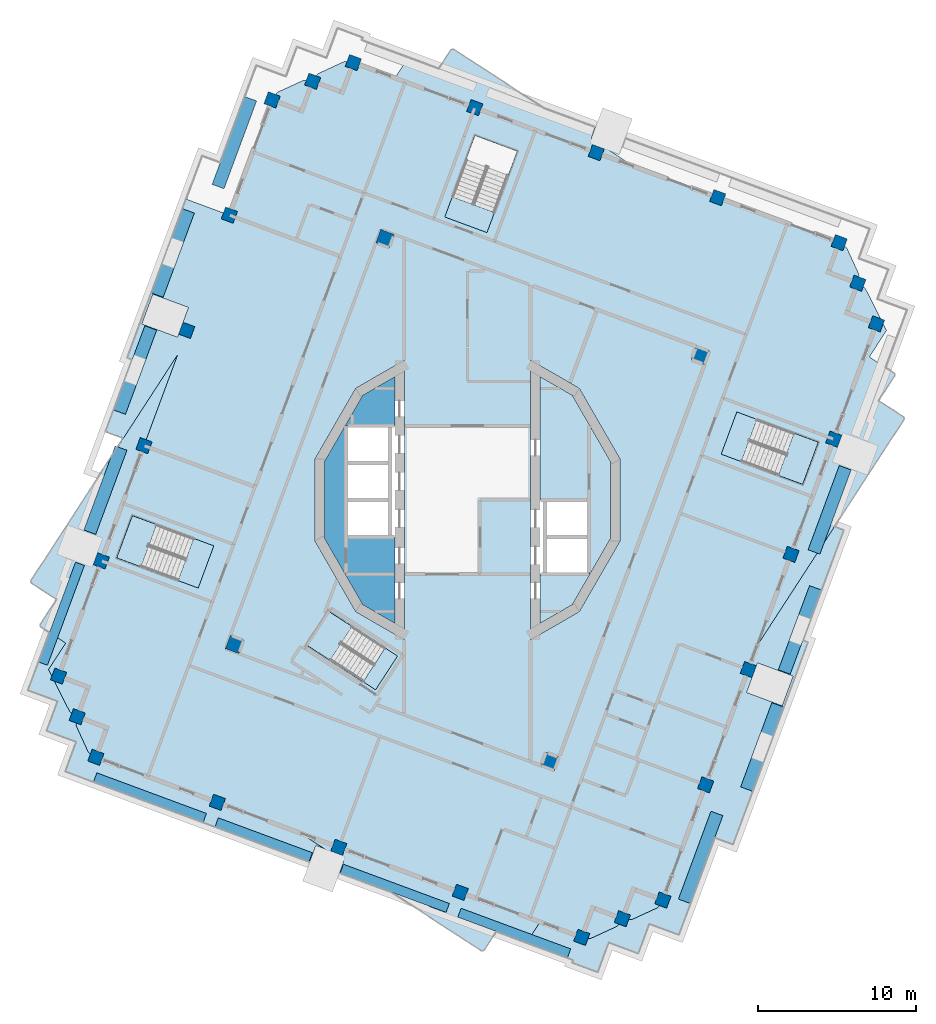
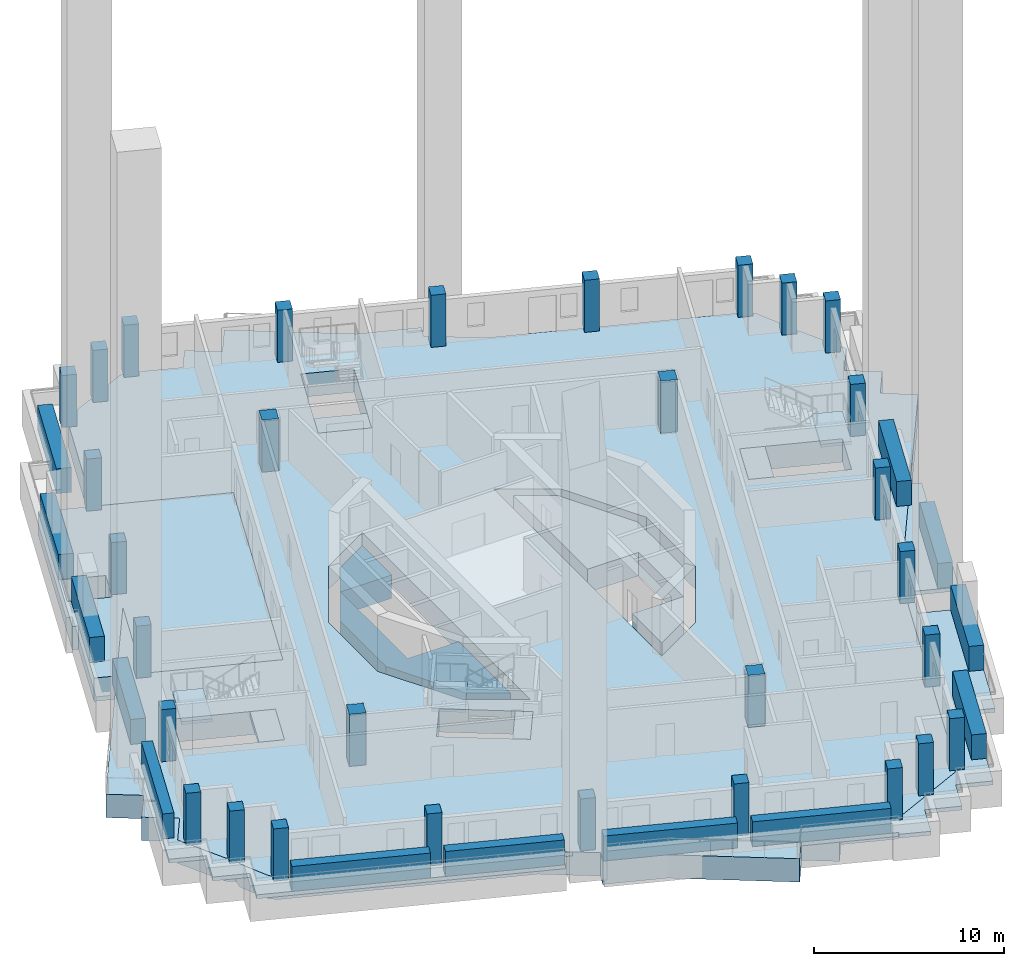
# One storey, part 1 of 20: 30 columns, 13 plates, 13 slabs, 3 elements without a shape of their own.
"""IFC4 building model written with IfcOpenShell, lengths in metres."""

import ifcopenshell
import ifcopenshell.guid

model = None  # the IFC model being written
_history = None  # IfcOwnerHistory: only IFC2X3 demands one
_inside = {}  # id of a spatial element -> (the spatial element, [elements in it])
_under = {}  # id of a project, library or spatial element -> (it, [spatial elements below it])
_declared = {}  # id of a project -> (the project, [libraries it declares])
_typed = {}  # id of a type object -> (the type object, [elements of that type])
_made_of = {}  # id of a material, layer set ... -> (it, [elements and type objects made of it])


def new_model(schema):
    """Start an empty IFC model of exactly this schema.

    Asked for "IFC4X3", IfcOpenShell would pick the latest addendum, in which some entities
    have other attributes; the version numbers below select the first issue.
    IFC2X3 requires an IfcOwnerHistory on every rooted entity: one is made here for all.
    """
    global model, _history
    if schema == "IFC4X3":
        model = ifcopenshell.file(schema_version=(4, 3, 0, 0))
    else:
        model = ifcopenshell.file(schema=schema)
    _inside.clear()
    _under.clear()
    _declared.clear()
    _typed.clear()
    _made_of.clear()
    _history = None
    if model.schema == "IFC2X3":
        org = make("IfcOrganization", Name="unknown")
        user = make(
            "IfcPersonAndOrganization",
            ThePerson=make("IfcPerson", FamilyName="unknown"),
            TheOrganization=org,
        )
        app = make(
            "IfcApplication",
            ApplicationDeveloper=org,
            Version="unknown",
            ApplicationFullName="unknown",
            ApplicationIdentifier="unknown",
        )
        _history = make(
            "IfcOwnerHistory",
            OwningUser=user,
            OwningApplication=app,
            ChangeAction="ADDED",
            CreationDate=0,
        )
    return model


def make(cls, **values):
    """One entity of the class cls with the attributes given. An attribute that is None is left unset."""
    return model.create_entity(
        cls, **{name: value for name, value in values.items() if value is not None}
    )


def rooted(cls, **values):
    """An entity with a GlobalId (a new one), such as an element, a storey or a relation."""
    return make(cls, GlobalId=ifcopenshell.guid.new(), OwnerHistory=_history, **values)


def si_unit(unit_type, name, prefix=None):
    """IfcSIUnit, for example si_unit("LENGTHUNIT", "METRE", prefix="MILLI")."""
    return make("IfcSIUnit", UnitType=unit_type, Prefix=prefix, Name=name)


def assignment(units):
    """IfcUnitAssignment: the units of a project."""
    return None if units is None else make("IfcUnitAssignment", Units=units)


def point(xyz):
    """IfcCartesianPoint."""
    return None if xyz is None else make("IfcCartesianPoint", Coordinates=xyz)


def direction(xyz):
    """IfcDirection."""
    return None if xyz is None else make("IfcDirection", DirectionRatios=xyz)


def frame(location, z_axis=None, x_axis=None):
    """IfcAxis2Placement3D, a coordinate frame: its origin and axes. An axis left out is left unset."""
    return make(
        "IfcAxis2Placement3D",
        Location=point(location),
        Axis=direction(z_axis),
        RefDirection=direction(x_axis),
    )


def frame_2d(location, x_axis=None):
    """IfcAxis2Placement2D, a coordinate frame in the plane: its origin and x axis."""
    return make(
        "IfcAxis2Placement2D", Location=point(location), RefDirection=direction(x_axis)
    )


def origin():
    """The frame at (0, 0, 0) with its axes left unset."""
    return frame((0.0, 0.0, 0.0))


def origin_2d():
    """The frame at (0, 0) in the plane with its x axis left unset."""
    return frame_2d((0.0, 0.0))


def place(relative_to, where):
    """IfcLocalPlacement: puts the frame where relative to a parent placement (None: the world)."""
    return make(
        "IfcLocalPlacement", PlacementRelTo=relative_to, RelativePlacement=where
    )


def context(
    kind, dimensions, precision=None, world=None, true_north=None, identifier=None
):
    """IfcGeometricRepresentationContext, for example the 3D "Model" context."""
    return make(
        "IfcGeometricRepresentationContext",
        ContextIdentifier=identifier,
        ContextType=kind,
        CoordinateSpaceDimension=dimensions,
        Precision=precision,
        WorldCoordinateSystem=world,
        TrueNorth=true_north,
    )


def subcontext(parent, identifier, kind, view, scale=None):
    """IfcGeometricRepresentationSubContext, for example "Body" below "Model"."""
    return make(
        "IfcGeometricRepresentationSubContext",
        ContextIdentifier=identifier,
        ContextType=kind,
        ParentContext=parent,
        TargetScale=scale,
        TargetView=view,
    )


def project(units=None, contexts=None):
    """IfcProject with its units and contexts."""
    return rooted(
        "IfcProject",
        Name="project",
        RepresentationContexts=contexts,
        UnitsInContext=assignment(units),
    )


def spatial(cls, under=None, at=None, **own):
    """A site, building, storey or space (cls), placed at a placement, below another one or the project."""
    s = rooted(cls, ObjectPlacement=at, **own)
    if under is not None:
        _under.setdefault(under.id(), (under, []))[1].append(s)
    return s


def polyline(points):
    """IfcPolyline through the points."""
    return make("IfcPolyline", Points=[point(p) for p in points])


def profile(cls, at=None, kind="AREA", **sizes):
    """A parametric profile (cls). Its sizes go by their IFC names, for example OverallWidth=200.0."""
    return make(cls, ProfileType=kind, Position=at, **sizes)


def rectangle(**sizes):
    """IfcRectangleProfileDef."""
    return profile("IfcRectangleProfileDef", **sizes)


def outline(outer, holes=None, kind="AREA"):
    """IfcArbitraryClosedProfileDef: a profile drawn as a closed curve; with holes, ...WithVoids."""
    if holes is None:
        return make("IfcArbitraryClosedProfileDef", ProfileType=kind, OuterCurve=outer)
    return make(
        "IfcArbitraryProfileDefWithVoids",
        ProfileType=kind,
        OuterCurve=outer,
        InnerCurves=holes,
    )


def extrude(swept, where, along, depth):
    """IfcExtrudedAreaSolid: the profile swept, set in the frame where, extruded along a direction by depth."""
    return make(
        "IfcExtrudedAreaSolid",
        SweptArea=swept,
        Position=where,
        ExtrudedDirection=direction(along),
        Depth=depth,
    )


def shape(context_of_items, identifier, shape_type, items):
    """IfcShapeRepresentation: the items that make up one representation, for example the "Body"."""
    return make(
        "IfcShapeRepresentation",
        ContextOfItems=context_of_items,
        RepresentationIdentifier=identifier,
        RepresentationType=shape_type,
        Items=items,
    )


def material(Name=None, Category=None):
    """IfcMaterial."""
    return make("IfcMaterial", Name=Name, Category=Category)


def layer(
    of_material, thickness, ventilated=None, Name=None, Category=None, Priority=None
):
    """IfcMaterialLayer: one layer of a wall or slab, of a material (None: an air gap)."""
    return make(
        "IfcMaterialLayer",
        Material=of_material,
        LayerThickness=thickness,
        IsVentilated=ventilated,
        Name=Name,
        Category=Category,
        Priority=Priority,
    )


def layer_set(layers, Name=None):
    """IfcMaterialLayerSet."""
    return make("IfcMaterialLayerSet", MaterialLayers=layers, LayerSetName=Name)


def material_profile(
    of_material, cross_section, Name=None, Category=None, Priority=None
):
    """IfcMaterialProfile: a cross section and its material."""
    return make(
        "IfcMaterialProfile",
        Name=Name,
        Material=of_material,
        Profile=cross_section,
        Priority=Priority,
        Category=Category,
    )


def profile_set(profiles, Name=None, composite=None):
    """IfcMaterialProfileSet."""
    return make(
        "IfcMaterialProfileSet",
        Name=Name,
        MaterialProfiles=profiles,
        CompositeProfile=composite,
    )


def made_of(thing, what):
    """Note that an element or type object is made of a material, layer set ...; save() writes the relation."""
    if what is not None:
        _made_of.setdefault(what.id(), (what, []))[1].append(thing)
    return thing


def type_object(cls, material=None, **own):
    """A type object (cls), such as IfcWallType, which elements share."""
    return made_of(rooted(cls, **own), material)


def element(
    cls,
    number,
    at=None,
    inside=None,
    cuts=None,
    type_object=None,
    material=None,
    context=None,
    identifier="Body",
    shape_type=None,
    held_by="IfcProductDefinitionShape",
    body=None,
    shapes=None,
    **own,
):
    """One element of the class cls, such as IfcWall. Its Tag is "e" and its number.

    at: its placement. inside: the storey or other place that contains it. cuts: it is an
    opening in that element (IfcRelVoidsElement). A single representation is given by context,
    identifier, shape_type and body (its items); several are given by shapes. held_by: the class
    of the entity that holds the representations. save() writes the other relations.
    """
    e = rooted(cls, Tag="e%d" % number, ObjectPlacement=at, **own)
    if body is not None:
        shapes = [shape(context, identifier, shape_type, body)]
    if shapes is not None:
        e.Representation = make(held_by, Representations=shapes)
    if inside is not None:
        _inside.setdefault(inside.id(), (inside, []))[1].append(e)
    if cuts is not None:
        rooted(
            "IfcRelVoidsElement", RelatingBuildingElement=cuts, RelatedOpeningElement=e
        )
    if type_object is not None:
        _typed.setdefault(type_object.id(), (type_object, []))[1].append(e)
    return made_of(e, material)


def aggregate(whole, parts):
    """IfcRelAggregates: a whole, such as a stair, and the parts it consists of."""
    return rooted("IfcRelAggregates", RelatingObject=whole, RelatedObjects=parts)


def save(model, path):
    """Write the relations noted so far, then the file.

    IfcRelAggregates (storeys below a building ...), IfcRelContainedInSpatialStructure (elements
    in a storey), IfcRelDefinesByType, IfcRelAssociatesMaterial and IfcRelDeclares: one each for
    every whole, place, type object, material and project.
    """
    for whole, parts in _under.values():
        aggregate(whole, parts)
    for where, things in _inside.values():
        rooted(
            "IfcRelContainedInSpatialStructure",
            RelatedElements=things,
            RelatingStructure=where,
        )
    for kind, things in _typed.values():
        rooted("IfcRelDefinesByType", RelatedObjects=things, RelatingType=kind)
    for what, things in _made_of.values():
        rooted("IfcRelAssociatesMaterial", RelatedObjects=things, RelatingMaterial=what)
    for by, libraries in _declared.values():
        rooted("IfcRelDeclares", RelatingContext=by, RelatedDefinitions=libraries)
    model.write(path)


model = new_model("IFC4")

# Units and contexts
model_context = context("Model", 3, precision=1e-05, world=origin(), true_north=direction((0.0, 1.0)))
body_context = subcontext(model_context, "Body", "Model", "MODEL_VIEW")
ifc_project = project(units=[si_unit("LENGTHUNIT", "METRE"), si_unit("AREAUNIT", "SQUARE_METRE"), si_unit("VOLUMEUNIT", "CUBIC_METRE"), si_unit("PLANEANGLEUNIT", "RADIAN"), si_unit("MASSUNIT", "GRAM", prefix="KILO")], contexts=[model_context])

# Site, building, storey
site_placement = place(None, origin())
site = spatial("IfcSite", under=ifc_project, at=site_placement, CompositionType="ELEMENT")
building_placement = place(site_placement, origin())
building = spatial("IfcBuilding", under=site, at=building_placement, Name="Cantera Rosa Tower", CompositionType="ELEMENT")
storey_placement = place(building_placement, frame((0.0, 0.0, 306.10009765625)))
storey = spatial("IfcBuildingStorey", under=building, at=storey_placement, Name="L67", CompositionType="ELEMENT", Elevation=306.10009765625)

# Columns
ifc_material_1 = material(Name="Concrete C50/60", Category="concrete")
ifc_material_profile_1 = material_profile(ifc_material_1, rectangle(XDim=0.800048828125, YDim=0.800048828125, at=origin_2d()), Name="RC COLUMN RC800X800 C50/60")
ifc_profile_set_1 = profile_set([ifc_material_profile_1], Name="Concrete C50/60")
column_type_1 = type_object("IfcColumnType", Name="RC COLUMN RC800X800 C50/60", PredefinedType="COLUMN", material=ifc_profile_set_1)
for number, where, z_axis, x_axis, name in (
    (1, (23.526611328125, 16.2900390625, 0.0), (0.0, 0.0, 1.0), (0.347481234489, 0.937686936924, 0.0), "C-Z6-01 L67"),
    (2, (15.83740234375, 19.139404296875, 0.0), (0.0, 0.0, 1.0), (0.347481234489, 0.937686936924, 0.0), "C-Z6-02 L67"),
    (3, (8.1484375, 21.98876953125, 0.0), (0.0, 0.0, 1.0), (0.347481234489, 0.937686936924, 0.0), "C-Z6-03 L67"),
    (4, (0.45947265625, 24.838134765625, 0.0), (0.0, 0.0, 1.0), (0.347481234489, 0.937686936924, 0.0), "C-Z6-04 L67"),
    (5, (-7.229736328125, 27.6875, 0.0), (0.0, 0.0, 1.0), (0.347481234489, 0.937686936924, 0.0), "C-Z6-05 L67"),
    (6, (-9.800048828125, 26.507080078125, 0.0), (0.0, 0.0, 1.0), (0.347481234489, 0.937686936924, 0.0), "C-Z6-06 L67"),
    (7, (-12.370361328125, 25.32666015625, 0.0), (0.0, 0.0, 1.0), (0.347481234489, 0.937686936924, 0.0), "C-Z6-07 L67"),
    (8, (-15.07373046875, 18.031494140625, 0.0), (0.0, 0.0, 1.0), (0.347481234489, 0.937686936924, 0.0), "C-Z6-08 L67"),
    (9, (-17.777099609375, 10.736328125, 0.0), (0.0, 0.0, 1.0), (0.347481234489, 0.937686936924, 0.0), "C-Z6-09 L67"),
    (10, (-20.48046875, 3.44091796875, 0.0), (0.0, 0.0, 1.0), (0.347481234489, 0.937686936924, 0.0), "C-Z6-10 L67"),
    (11, (-23.183837890625, -3.854248046875, 0.0), (0.0, 0.0, 1.0), (0.347481234489, 0.937686936924, 0.0), "C-Z6-11 L67"),
    (12, (-25.88720703125, -11.1494140625, 0.0), (0.0, 0.0, 1.0), (0.347481234489, 0.937686936924, 0.0), "C-Z6-12 L67"),
    (13, (-24.70703125, -13.7197265625, 0.0), (0.0, 0.0, 1.0), (0.347481234489, 0.937686936924, 0.0), "C-Z6-13 L67"),
    (14, (-23.526611328125, -16.2900390625, 0.0), (0.0, 0.0, 1.0), (0.347481234489, 0.937686936924, 0.0), "C-Z6-14 L67"),
    (15, (-15.83740234375, -19.139404296875, 0.0), (0.0, 0.0, 1.0), (0.347481234489, 0.937686936924, 0.0), "C-Z6-15 L67"),
    (16, (-8.1484375, -21.98876953125, 0.0), (0.0, 0.0, 1.0), (0.347481234489, 0.937686936924, 0.0), "C-Z6-16 L67"),
    (17, (-0.45947265625, -24.838134765625, 0.0), (0.0, 0.0, 1.0), (0.347481234489, 0.937686936924, 0.0), "C-Z6-17 L67"),
    (18, (7.229736328125, -27.6875, 0.0), (0.0, 0.0, 1.0), (0.347481234489, 0.937686936924, 0.0), "C-Z6-18 L67"),
    (19, (9.800048828125, -26.507080078125, 0.0), (0.0, 0.0, 1.0), (0.347481234489, 0.937686936924, 0.0), "C-Z6-19 L67"),
    (20, (12.370361328125, -25.32666015625, 0.0), (0.0, 0.0, 1.0), (0.347481234489, 0.937686936924, 0.0), "C-Z6-20 L67"),
    (21, (15.07373046875, -18.031494140625, 0.0), (0.0, 0.0, 1.0), (0.347481234489, 0.937686936924, 0.0), "C-Z6-21 L67"),
    (22, (17.777099609375, -10.736328125, 0.0), (0.0, 0.0, 1.0), (0.347481234489, 0.937686936924, 0.0), "C-Z6-22 L67"),
    (23, (20.48046875, -3.44091796875, 0.0), (0.0, 0.0, 1.0), (0.347481234489, 0.937686936924, 0.0), "C-Z6-23 L67"),
    (24, (23.183837890625, 3.854248046875, 0.0), (0.0, 0.0, 1.0), (0.347481234489, 0.937686936924, 0.0), "C-Z6-24 L67"),
    (25, (25.88720703125, 11.1494140625, 0.0), (0.0, 0.0, 1.0), (0.347481234489, 0.937686936924, 0.0), "C-Z6-25 L67"),
    (26, (24.70703125, 13.7197265625, 0.0), (0.0, 0.0, 1.0), (0.347481234489, 0.937686936924, 0.0), "C-Z6-26 L67"),
):
    element("IfcColumn", number, at=place(storey_placement, frame(where, z_axis=z_axis, x_axis=x_axis)), inside=storey, type_object=column_type_1, Name=name, PredefinedType="COLUMN", context=body_context, shape_type="SweptSolid", body=[
        extrude(rectangle(XDim=0.800048828125, YDim=0.800048828125, at=origin_2d()), origin(), (0.0, 0.0, 1.0), 3.349853515625),
    ])
ifc_material_2 = material(Name="Concrete C50/60", Category="concrete")
ifc_material_profile_2 = material_profile(ifc_material_2, rectangle(XDim=0.89990234375, YDim=0.89990234375, at=origin_2d()), Name="RC RING COLUMN RC900X900 C50/60")
ifc_profile_set_2 = profile_set([ifc_material_profile_2], Name="Concrete C50/60")
column_type_2 = type_object("IfcColumnType", Name="RC RING COLUMN RC900X900 C50/60", PredefinedType="COLUMN", material=ifc_profile_set_2)
for number, where, z_axis, x_axis, name in (
    (27, (-5.225830078125, 16.546875, 0.0), (0.0, 0.0, 1.0), (0.347481234489, 0.937686936924, 0.0), "CI-Z6-1 L67"),
    (28, (-14.746826171875, -9.145751953125, 0.0), (0.0, 0.0, 1.0), (0.347481234489, 0.937686936924, 0.0), "CI-Z6-2 L67"),
    (29, (5.225830078125, -16.546875, 0.0), (0.0, 0.0, 1.0), (0.347481234489, 0.937686936924, 0.0), "CI-Z6-3 L67"),
    (30, (14.746826171875, 9.145751953125, 0.0), (0.0, 0.0, 1.0), (0.347481234489, 0.937686936924, 0.0), "CI-Z6-4 L67"),
):
    element("IfcColumn", number, at=place(storey_placement, frame(where, z_axis=z_axis, x_axis=x_axis)), inside=storey, type_object=column_type_2, Name=name, PredefinedType="COLUMN", context=body_context, shape_type="SweptSolid", body=[
        extrude(rectangle(XDim=0.89990234375, YDim=0.89990234375, at=origin_2d()), origin(), (0.0, 0.0, 1.0), 3.349853515625),
    ])

# Slabs
ifc_material_3 = material(Name="Concrete C35/45", Category="concrete")
ifc_layer_1 = layer(ifc_material_3, 0.25)
ifc_layer_set_1 = layer_set([ifc_layer_1], Name="LOGGIA SLAB 250 C35/45")
slab_type_1 = type_object("IfcSlabType", Name="LOGGIA SLAB 250 C35/45", PredefinedType="FLOOR", material=ifc_layer_set_1)
slab_1_placement = place(storey_placement, frame((0.0, 0.0, -0.25)))
element("IfcSlab", 31, at=slab_1_placement, inside=storey, type_object=slab_type_1, Name="LOGGIA SLAB L67 1", PredefinedType="FLOOR", context=body_context, shape_type="SweptSolid", body=[
    extrude(outline(polyline([(-24.75927734375, -15.300048828125), (-25.22802734375, -15.126220703125), (-26.634765625, -14.60498046875), (-26.11328125, -13.198486328125), (-25.939697265625, -12.729736328125), (-26.408447265625, -12.555908203125), (-27.815185546875, -12.03466796875), (-27.2939453125, -10.628173828125), (-26.46435546875, -8.389892578125), (-25.436767578125, -9.057373046875), (-26.232177734375, -10.2822265625), (-26.52587890625, -10.734619140625), (-25.215576171875, -13.330810546875), (-25.201904296875, -13.35693359375), (-25.18603515625, -13.381591796875), (-25.16748046875, -13.404541015625), (-25.14697265625, -13.42578125), (-25.12451171875, -13.444580078125), (-25.10009765625, -13.461181640625), (-24.706787109375, -13.7197265625), (-24.76708984375, -14.186279296875), (-24.770263671875, -14.2158203125), (-24.7705078125, -14.2451171875), (-24.76806640625, -14.2744140625), (-24.7626953125, -14.303466796875), (-24.75439453125, -14.331787109375), (-24.743408203125, -14.35888671875), (-24.03515625, -15.901123046875), (-24.021484375, -15.92724609375), (-24.005615234375, -15.951904296875), (-23.987060546875, -15.974853515625), (-23.966552734375, -15.99609375), (-23.944091796875, -16.014892578125), (-23.919677734375, -16.031494140625), (-23.526611328125, -16.2900390625), (-10.589111328125, -21.08447265625), (-9.05908203125, -22.077880859375), (-9.60009765625, -21.87744140625), (-9.982421875, -22.90869140625), (-10.076171875, -22.8740234375), (-14.9521484375, -21.067138671875), (-17.76513671875, -20.024658203125), (-24.047607421875, -17.696533203125), (-25.454345703125, -17.17529296875), (-24.93310546875, -15.768798828125), (-24.75927734375, -15.300048828125)])), origin(), (0.0, 0.0, 1.0), 0.25),
])
slab_2_placement = place(storey_placement, frame((0.0, 0.0, -0.25)))
element("IfcSlab", 32, at=slab_2_placement, inside=storey, type_object=slab_type_1, Name="LOGGIA SLAB L67 3", PredefinedType="FLOOR", context=body_context, shape_type="SweptSolid", body=[
    extrude(outline(polyline([(11.779541015625, -26.920654296875), (11.498291015625, -26.81640625), (11.39404296875, -27.097900390625), (10.80322265625, -28.69189453125), (9.209228515625, -28.10107421875), (8.927978515625, -27.996826171875), (8.23291015625, -29.872314453125), (6.638916015625, -29.281494140625), (6.69921875, -29.119140625), (1.819091796875, -27.310791015625), (2.07177734375, -26.921630859375), (3.7490234375, -28.0107421875), (4.593505859375, -26.710693359375), (6.25048828125, -27.32470703125), (7.2294921875, -27.6875), (7.6962890625, -27.74755859375), (7.7255859375, -27.750732421875), (7.7548828125, -27.751220703125), (7.784423828125, -27.74853515625), (7.813232421875, -27.7431640625), (7.841552734375, -27.735107421875), (7.868896484375, -27.72412109375), (9.4111328125, -27.015625), (9.437255859375, -27.002197265625), (9.4619140625, -26.986083984375), (9.48486328125, -26.9677734375), (9.505859375, -26.947021484375), (9.52490234375, -26.924560546875), (9.54150390625, -26.900146484375), (9.800048828125, -26.507080078125), (10.2666015625, -26.567138671875), (10.2958984375, -26.5703125), (10.325439453125, -26.57080078125), (10.354736328125, -26.568115234375), (10.383544921875, -26.562744140625), (10.411865234375, -26.554443359375), (10.439208984375, -26.543701171875), (11.9814453125, -25.835205078125), (12.007568359375, -25.82177734375), (12.0322265625, -25.8056640625), (12.05517578125, -25.787353515625), (12.076171875, -25.7666015625), (12.09521484375, -25.744140625), (12.11181640625, -25.7197265625), (12.370361328125, -25.32666015625), (12.733154296875, -24.347412109375), (17.63818359375, -11.111328125), (18.01318359375, -11.250244140625), (17.665771484375, -12.18798828125), (19.916259765625, -13.02197265625), (20.611083984375, -11.146484375), (18.360595703125, -10.3125), (18.291259765625, -10.5), (17.916015625, -10.361083984375), (18.342041015625, -9.211669921875), (23.221923828125, -1.697509765625), (23.805908203125, -1.913818359375), (21.2197265625, -8.892822265625), (21.535888671875, -9.010009765625), (16.7998046875, -21.790283203125), (15.651611328125, -21.36474609375), (13.96435546875, -25.917236328125), (13.373779296875, -27.511474609375), (11.779541015625, -26.920654296875)])), origin(), (0.0, 0.0, 1.0), 0.25),
])

# Plates
ifc_material_4 = material(Name="Cantera stone planter with soil", Category="masonry")
plate_type_1 = type_object("IfcPlateType", Name="PLANTER 600", PredefinedType="USERDEFINED", material=ifc_material_4)
plate_1_placement = place(storey_placement, frame((-25.704345703125, -7.201904296875, -0.000244140625), z_axis=(0.0, 0.0, 1.0), x_axis=(-0.347481234489, -0.937686936924, 0.0)))
element("IfcPlate", 33, at=plate_1_placement, inside=storey, type_object=plate_type_1, Name="PLANTER L67-09", ObjectType="PLANTER", PredefinedType="USERDEFINED", context=body_context, shape_type="SweptSolid", body=[
    extrude(rectangle(XDim=6.72998046875, YDim=0.60009765625, at=origin_2d()), origin(), (0.0, 0.0, 1.0), 1.60009765625),
])
plate_2_placement = place(storey_placement, frame((-20.098876953125, -18.83984375, -0.000244140625), z_axis=(0.0, 0.0, 1.0), x_axis=(0.937686936924, -0.347481234489, 0.0)))
element("IfcPlate", 34, at=plate_2_placement, inside=storey, type_object=plate_type_1, Name="PLANTER L67-10", ObjectType="PLANTER", PredefinedType="USERDEFINED", context=body_context, shape_type="SweptSolid", body=[
    extrude(rectangle(XDim=7.39990234375, YDim=0.60009765625, at=origin_2d()), origin(), (0.0, 0.0, 1.0), 1.60009765625),
])
plate_3_placement = place(storey_placement, frame((-12.902099609375, -21.5068359375, -0.000244140625), z_axis=(0.0, 0.0, 1.0), x_axis=(0.937686936924, -0.347481234489, 0.0)))
element("IfcPlate", 35, at=plate_3_placement, inside=storey, type_object=plate_type_1, Name="PLANTER L67-11", ObjectType="PLANTER", PredefinedType="USERDEFINED", context=body_context, shape_type="SweptSolid", body=[
    extrude(rectangle(XDim=6.35009765625, YDim=0.60009765625, at=origin_2d()), origin(), (0.0, 0.0, 1.0), 1.60009765625),
])
plate_4_placement = place(storey_placement, frame((-4.603759765625, -24.58203125, -0.000244140625), z_axis=(0.0, 0.0, 1.0), x_axis=(0.937686936924, -0.347481234489, 0.0)))
element("IfcPlate", 36, at=plate_4_placement, inside=storey, type_object=plate_type_1, Name="PLANTER L67-12", ObjectType="PLANTER", PredefinedType="USERDEFINED", context=body_context, shape_type="SweptSolid", body=[
    extrude(rectangle(XDim=7.14990234375, YDim=0.60009765625, at=origin_2d()), origin(), (0.0, 0.0, 1.0), 1.60009765625),
])
plate_5_placement = place(storey_placement, frame((2.958740234375, -27.4130859375, -0.000244140625), z_axis=(0.0, 0.0, 1.0), x_axis=(0.937686936924, -0.347481234489, 0.0)))
element("IfcPlate", 37, at=plate_5_placement, inside=storey, type_object=plate_type_1, Name="PLANTER L67-13", ObjectType="PLANTER", PredefinedType="USERDEFINED", context=body_context, shape_type="SweptSolid", body=[
    extrude(rectangle(XDim=7.39990234375, YDim=0.60009765625, at=origin_2d()), origin(), (0.0, 0.0, 1.0), 1.60009765625),
])
ifc_material_5 = material(Name="Cantera stone planter with soil", Category="masonry")
plate_type_2 = type_object("IfcPlateType", Name="PLANTER 800", PredefinedType="USERDEFINED", material=ifc_material_5)
plate_6_placement = place(storey_placement, frame((-14.758544921875, 22.623046875, -0.000244140625), z_axis=(0.0, 0.0, 1.0), x_axis=(-0.347481234489, -0.937686936924, 0.0)))
element("IfcPlate", 38, at=plate_6_placement, inside=storey, type_object=plate_type_2, Name="PLANTER L67-05", ObjectType="PLANTER", PredefinedType="USERDEFINED", context=body_context, shape_type="SweptSolid", body=[
    extrude(rectangle(XDim=5.929931640625, YDim=0.800048828125, at=origin_2d()), origin(), (0.0, 0.0, 1.0), 1.60009765625),
])
for number, where, z_axis, x_axis, name in (
    (39, (-18.65380859375, 15.63623046875, -0.000244140625), (0.0, 0.0, 1.0), (-0.347481234489, -0.937686936924, 0.0), "PLANTER L67-06"),
    (40, (-21.041015625, 8.223876953125, -0.000244140625), (0.0, 0.0, 1.0), (-0.347481234489, -0.937686936924, 0.0), "PLANTER L67-07"),
    (41, (-22.922607421875, 0.6240234375, -0.000244140625), (0.0, 0.0, 1.0), (-0.347481234489, -0.937686936924, 0.0), "PLANTER L67-08"),
):
    element("IfcPlate", number, at=place(storey_placement, frame(where, z_axis=z_axis, x_axis=x_axis)), inside=storey, type_object=plate_type_2, Name=name, ObjectType="PLANTER", PredefinedType="USERDEFINED", context=body_context, shape_type="SweptSolid", body=[
        extrude(rectangle(XDim=5.679931640625, YDim=0.800048828125, at=origin_2d()), origin(), (0.0, 0.0, 1.0), 1.60009765625),
    ])
plate_7_placement = place(storey_placement, frame((14.758544921875, -22.623046875, -0.000244140625), z_axis=(0.0, 0.0, 1.0), x_axis=(0.347481234489, 0.937686936924, 0.0)))
element("IfcPlate", 42, at=plate_7_placement, inside=storey, type_object=plate_type_2, Name="PLANTER L67-14", ObjectType="PLANTER", PredefinedType="USERDEFINED", context=body_context, shape_type="SweptSolid", body=[
    extrude(rectangle(XDim=5.929931640625, YDim=0.800048828125, at=origin_2d()), origin(), (0.0, 0.0, 1.0), 1.60009765625),
])
for number, where, z_axis, x_axis, name in (
    (43, (18.65380859375, -15.63623046875, -0.000244140625), (0.0, 0.0, 1.0), (0.347481234489, 0.937686936924, 0.0), "PLANTER L67-15"),
    (44, (21.041015625, -8.223876953125, -0.000244140625), (0.0, 0.0, 1.0), (0.347481234489, 0.937686936924, 0.0), "PLANTER L67-16"),
    (45, (22.922607421875, -0.6240234375, -0.000244140625), (0.0, 0.0, 1.0), (0.347481234489, 0.937686936924, 0.0), "PLANTER L67-17"),
):
    element("IfcPlate", number, at=place(storey_placement, frame(where, z_axis=z_axis, x_axis=x_axis)), inside=storey, type_object=plate_type_2, Name=name, ObjectType="PLANTER", PredefinedType="USERDEFINED", context=body_context, shape_type="SweptSolid", body=[
        extrude(rectangle(XDim=5.679931640625, YDim=0.800048828125, at=origin_2d()), origin(), (0.0, 0.0, 1.0), 1.60009765625),
    ])

# Slabs
ifc_material_6 = material(Name="Concrete C50/60", Category="concrete")
ifc_layer_2 = layer(ifc_material_6, 0.300048828125)
ifc_layer_set_2 = layer_set([ifc_layer_2], Name="RC STAIR ARRIVAL LANDING 300 C50/60")
slab_type_2 = type_object("IfcSlabType", Name="RC STAIR ARRIVAL LANDING 300 C50/60", PredefinedType="FLOOR", material=ifc_layer_set_2)
slab_3_placement = place(storey_placement, frame((0.0, 0.0, -0.300048828125)))
element("IfcSlab", 46, at=slab_3_placement, inside=storey, type_object=slab_type_2, Name="SLAB L67 arrival 1", PredefinedType="FLOOR", context=body_context, shape_type="SweptSolid", body=[
    extrude(outline(polyline([(-17.048828125, -5.572998046875), (-18.325927734375, -5.099853515625), (-17.335693359375, -2.427490234375), (-16.05859375, -2.900634765625), (-17.048828125, -5.572998046875)])), origin(), (0.0, 0.0, 1.0), 0.300048828125),
])
slab_4_placement = place(storey_placement, frame((0.0, 0.0, -0.300048828125)))
element("IfcSlab", 47, at=slab_4_placement, inside=storey, type_object=slab_type_2, Name="SLAB L67 arrival 2", PredefinedType="FLOOR", context=body_context, shape_type="SweptSolid", body=[
    extrude(outline(polyline([(-4.429931640625, -9.878662109375), (-5.818603515625, -12.017333984375), (-6.6044921875, -11.507080078125), (-5.2158203125, -9.368408203125), (-4.429931640625, -9.878662109375)])), origin(), (0.0, 0.0, 1.0), 0.300048828125),
])
slab_5_placement = place(storey_placement, frame((0.0, 0.0, -0.300048828125)))
element("IfcSlab", 48, at=slab_5_placement, inside=storey, type_object=slab_type_2, Name="SLAB L67 arrival 3", PredefinedType="FLOOR", context=body_context, shape_type="SweptSolid", body=[
    extrude(outline(polyline([(-1.43896484375, 17.91650390625), (-0.9658203125, 19.193603515625), (1.70654296875, 18.203369140625), (1.2333984375, 16.926025390625), (-1.43896484375, 17.91650390625)])), origin(), (0.0, 0.0, 1.0), 0.300048828125),
])
slab_6_placement = place(storey_placement, frame((0.0, 0.0, -0.300048828125)))
element("IfcSlab", 49, at=slab_6_placement, inside=storey, type_object=slab_type_2, Name="SLAB L67 arrival 4", PredefinedType="FLOOR", context=body_context, shape_type="SweptSolid", body=[
    extrude(outline(polyline([(17.048828125, 5.572998046875), (18.325927734375, 5.099853515625), (17.335693359375, 2.427490234375), (16.05859375, 2.900634765625), (17.048828125, 5.572998046875)])), origin(), (0.0, 0.0, 1.0), 0.300048828125),
])
ifc_material_7 = material(Name="Concrete C50/60", Category="concrete")
ifc_layer_3 = layer(ifc_material_7, 1.5)
ifc_layer_set_3 = layer_set([ifc_layer_3], Name="RC TRANSFER PLATE 1500 C50/60")
slab_type_3 = type_object("IfcSlabType", Name="RC TRANSFER PLATE 1500 C50/60", PredefinedType="FLOOR", material=ifc_layer_set_3)
slab_7_placement = place(storey_placement, frame((0.0, 0.0, -1.5)))
element("IfcSlab", 50, at=slab_7_placement, inside=storey, type_object=slab_type_3, Name="SLAB L67 floor 1", PredefinedType="FLOOR", context=body_context, shape_type="SweptSolid", body=[
    extrude(outline(polyline([(-7.699951171875, -2.35009765625), (-4.60009765625, -2.35009765625), (-4.60009765625, -7.804931640625), (-6.6318359375, -6.6318359375), (-9.059326171875, -2.427490234375), (-9.059326171875, 2.427490234375), (-6.6318359375, 6.6318359375), (-4.60009765625, 7.804931640625), (-4.60009765625, 4.699951171875), (-7.699951171875, 4.699951171875), (-7.699951171875, 2.35009765625), (-7.699951171875, 0.0), (-7.699951171875, -2.35009765625)])), origin(), (0.0, 0.0, 1.0), 1.5),
])
slab_8_placement = place(storey_placement, frame((0.0, 0.0, -1.5)))
element("IfcSlab", 51, at=slab_8_placement, inside=storey, type_object=slab_type_3, Name="SLAB L67 floor 2", PredefinedType="FLOOR", context=body_context, shape_type="SweptSolid", body=[
    extrude(outline(polyline([(-8.10693359375, -23.603759765625), (-7.8359375, -22.872314453125), (-10.589111328125, -21.08447265625), (-23.526611328125, -16.2900390625), (-23.919677734375, -16.031494140625), (-23.944091796875, -16.014892578125), (-23.966552734375, -15.99609375), (-23.987060546875, -15.974853515625), (-24.005615234375, -15.951904296875), (-24.021484375, -15.92724609375), (-24.03515625, -15.901123046875), (-24.743408203125, -14.35888671875), (-24.75439453125, -14.331787109375), (-24.7626953125, -14.303466796875), (-24.76806640625, -14.2744140625), (-24.7705078125, -14.2451171875), (-24.770263671875, -14.2158203125), (-24.76708984375, -14.186279296875), (-24.706787109375, -13.7197265625), (-25.10009765625, -13.461181640625), (-25.12451171875, -13.444580078125), (-25.14697265625, -13.42578125), (-25.16748046875, -13.404541015625), (-25.18603515625, -13.381591796875), (-25.201904296875, -13.35693359375), (-25.215576171875, -13.330810546875), (-26.52587890625, -10.734619140625), (-26.232177734375, -10.2822265625), (-25.436767578125, -9.057373046875), (-27.114013671875, -7.968017578125), (-26.02490234375, -6.290771484375), (-27.7021484375, -5.201416015625), (-23.221923828125, 1.697509765625), (-21.777587890625, 3.921630859375), (-18.34228515625, 9.21142578125), (-20.48046875, 3.44091796875), (-13.447998046875, 0.8349609375), (-8.041015625, 15.42529296875), (-15.07373046875, 18.031494140625), (-12.733154296875, 24.347412109375), (-12.370361328125, 25.32666015625), (-12.11181640625, 25.7197265625), (-12.09521484375, 25.744140625), (-12.076171875, 25.7666015625), (-12.05517578125, 25.787353515625), (-12.0322265625, 25.8056640625), (-12.007568359375, 25.82177734375), (-11.9814453125, 25.835205078125), (-10.439208984375, 26.543701171875), (-10.411865234375, 26.554443359375), (-10.383544921875, 26.562744140625), (-10.354736328125, 26.568115234375), (-10.325439453125, 26.57080078125), (-10.2958984375, 26.5703125), (-10.2666015625, 26.567138671875), (-9.800048828125, 26.507080078125), (-9.54150390625, 26.900146484375), (-9.52490234375, 26.924560546875), (-9.505859375, 26.947021484375), (-9.48486328125, 26.9677734375), (-9.4619140625, 26.986083984375), (-9.437255859375, 27.002197265625), (-9.4111328125, 27.015625), (-7.868896484375, 27.72412109375), (-7.841552734375, 27.735107421875), (-7.813232421875, 27.7431640625), (-7.784423828125, 27.74853515625), (-7.7548828125, 27.751220703125), (-7.7255859375, 27.750732421875), (-7.6962890625, 27.74755859375), (-7.2294921875, 27.6875), (-6.25048828125, 27.32470703125), (-4.593505859375, 26.710693359375), (-3.7490234375, 28.0107421875), (-2.07177734375, 26.921630859375), (-0.982421875, 28.598876953125), (4.85205078125, 24.809814453125), (7.26318359375, 23.91650390625), (8.10693359375, 23.603759765625), (7.8359375, 22.872314453125), (10.589111328125, 21.08447265625), (23.526611328125, 16.2900390625), (23.919677734375, 16.031494140625), (23.944091796875, 16.014892578125), (23.966552734375, 15.99609375), (23.987060546875, 15.974853515625), (24.005615234375, 15.951904296875), (24.021484375, 15.92724609375), (24.03515625, 15.901123046875), (24.743408203125, 14.35888671875), (24.75439453125, 14.331787109375), (24.7626953125, 14.303466796875), (24.76806640625, 14.2744140625), (24.7705078125, 14.2451171875), (24.770263671875, 14.2158203125), (24.76708984375, 14.186279296875), (24.706787109375, 13.7197265625), (25.10009765625, 13.461181640625), (25.12451171875, 13.444580078125), (25.14697265625, 13.42578125), (25.16748046875, 13.404541015625), (25.18603515625, 13.381591796875), (25.201904296875, 13.35693359375), (25.215576171875, 13.330810546875), (26.52587890625, 10.734619140625), (26.232177734375, 10.2822265625), (25.436767578125, 9.057373046875), (27.114013671875, 7.968017578125), (26.02490234375, 6.290771484375), (27.7021484375, 5.201416015625), (18.342041015625, -9.211669921875), (12.733154296875, -24.347412109375), (12.370361328125, -25.32666015625), (12.11181640625, -25.7197265625), (12.09521484375, -25.744140625), (12.076171875, -25.7666015625), (12.05517578125, -25.787353515625), (12.0322265625, -25.8056640625), (12.007568359375, -25.82177734375), (11.9814453125, -25.835205078125), (10.439208984375, -26.543701171875), (10.411865234375, -26.554443359375), (10.383544921875, -26.562744140625), (10.354736328125, -26.568115234375), (10.325439453125, -26.57080078125), (10.2958984375, -26.5703125), (10.2666015625, -26.567138671875), (9.800048828125, -26.507080078125), (9.54150390625, -26.900146484375), (9.52490234375, -26.924560546875), (9.505859375, -26.947021484375), (9.48486328125, -26.9677734375), (9.4619140625, -26.986083984375), (9.437255859375, -27.002197265625), (9.4111328125, -27.015625), (7.868896484375, -27.72412109375), (7.841552734375, -27.735107421875), (7.813232421875, -27.7431640625), (7.784423828125, -27.74853515625), (7.7548828125, -27.751220703125), (7.7255859375, -27.750732421875), (7.6962890625, -27.74755859375), (7.2294921875, -27.6875), (6.25048828125, -27.32470703125), (4.593505859375, -26.710693359375), (3.7490234375, -28.0107421875), (2.07177734375, -26.921630859375), (0.982421875, -28.598876953125), (-4.851806640625, -24.81005859375), (-4.85205078125, -24.809814453125), (-7.26318359375, -23.91650390625), (-8.10693359375, -23.603759765625)]), holes=[polyline([(-4.429931640625, -9.878662109375), (-5.2158203125, -9.368408203125), (-8.581298828125, -7.1826171875), (-9.97021484375, -9.3212890625), (-6.6044921875, -11.507080078125), (-5.818603515625, -12.017333984375), (-4.429931640625, -9.878662109375)]), polyline([(-21.2158203125, -0.989501953125), (-22.206298828125, -3.662109375), (-18.325927734375, -5.099853515625), (-17.048828125, -5.572998046875), (-16.05859375, -2.900634765625), (-21.2158203125, -0.989501953125)]), polyline([(-7.071044921875, 7.071044921875), (-9.6591796875, 2.588134765625), (-9.6591796875, -2.588134765625), (-7.071044921875, -7.071044921875), (-4.0, -8.843994140625), (-4.0, 8.843994140625), (-7.071044921875, 7.071044921875)]), polyline([(7.071044921875, -7.071044921875), (9.6591796875, -2.588134765625), (9.6591796875, 2.588134765625), (7.071044921875, 7.071044921875), (4.0, 8.843994140625), (4.0, -8.843994140625), (7.071044921875, -7.071044921875)]), polyline([(16.05859375, 2.900634765625), (21.2158203125, 0.989501953125), (22.206298828125, 3.662109375), (18.325927734375, 5.099853515625), (17.048828125, 5.572998046875), (16.05859375, 2.900634765625)]), polyline([(1.2333984375, 16.926025390625), (3.14453125, 22.08349609375), (0.47216796875, 23.07373046875), (-0.9658203125, 19.193603515625), (-1.43896484375, 17.91650390625), (1.2333984375, 16.926025390625)])]), origin(), (0.0, 0.0, 1.0), 1.5),
])
slab_9_placement = place(storey_placement, frame((0.0, 0.0, -1.5)))
element("IfcSlab", 52, at=slab_9_placement, inside=storey, type_object=slab_type_3, Name="SLAB L67 floor 3", PredefinedType="FLOOR", context=body_context, shape_type="SweptSolid", body=[
    extrude(outline(polyline([(4.60009765625, 0.0), (4.60009765625, 7.804931640625), (6.6318359375, 6.6318359375), (9.059326171875, 2.427490234375), (9.059326171875, -2.427490234375), (6.6318359375, -6.6318359375), (4.60009765625, -7.804931640625), (4.60009765625, -4.699951171875), (7.699951171875, -4.699951171875), (7.699951171875, -2.35009765625), (7.699951171875, 0.0), (4.60009765625, 0.0)])), origin(), (0.0, 0.0, 1.0), 1.5),
])
ifc_material_8 = material(Name="Concrete C50/60", Category="concrete")
ifc_layer_4 = layer(ifc_material_8, 1.5)
ifc_layer_set_4 = layer_set([ifc_layer_4], Name="RC TRANSFER PLATE TERRACE 1500 C50/60")
slab_type_4 = type_object("IfcSlabType", Name="RC TRANSFER PLATE TERRACE 1500 C50/60", PredefinedType="FLOOR", material=ifc_layer_set_4)
slab_10_placement = place(storey_placement, frame((0.0, 0.0, -1.5)))
element("IfcSlab", 53, at=slab_10_placement, inside=storey, type_object=slab_type_4, Name="RC TRANSFER PLATE TERRACE L67 1", PredefinedType="FLOOR", context=body_context, shape_type="SweptSolid", body=[
    extrude(outline(polyline([(-20.48046875, 3.44091796875), (-18.34228515625, 9.211181640625), (-21.777587890625, 3.921630859375), (-22.90673828125, 4.340087890625), (-21.2197265625, 8.892822265625), (-21.535888671875, 9.010009765625), (-17.816162109375, 19.047607421875), (-15.07373046875, 18.031494140625), (-8.041015625, 15.42529296875), (-13.447998046875, 0.8349609375), (-20.48046875, 3.44091796875)]), holes=[polyline([(-17.665771484375, 12.18798828125), (-19.916259765625, 13.02197265625), (-20.611083984375, 11.146484375), (-18.360595703125, 10.3125), (-18.291259765625, 10.5), (-17.916015625, 10.361083984375), (-17.63818359375, 11.111328125), (-18.01318359375, 11.250244140625), (-17.665771484375, 12.18798828125)])]), origin(), (0.0, 0.0, 1.0), 1.5),
])

# Stair, slab
ifc_material_9 = material(Name="Concrete C35/45", Category="concrete")
stair_type_1 = type_object("IfcStairType", Name="EXIT STAIR 1350 DOGLEG", PredefinedType="HALF_TURN_STAIR", material=ifc_material_9)
stair_1_placement = place(storey_placement, origin())
stair_1 = element("IfcStair", 54, at=stair_1_placement, inside=storey, type_object=stair_type_1, Name="L67 ST-61", PredefinedType="HALF_TURN_STAIR")
ifc_material_10 = material(Name="Concrete C35/45", Category="concrete")
ifc_layer_5 = layer(ifc_material_10, 0.199951171875)
ifc_layer_set_5 = layer_set([ifc_layer_5], Name="STAIR LANDING 200")
slab_type_5 = type_object("IfcSlabType", Name="STAIR LANDING 200", PredefinedType="LANDING", material=ifc_layer_set_5)
slab_11_placement = place(storey_placement, frame((0.0, 0.0, 1.599853515625)))
slab_11 = element("IfcSlab", 55, at=slab_11_placement, type_object=slab_type_5, Name="ST-61 landing 1", PredefinedType="LANDING", context=body_context, shape_type="SweptSolid", body=[
    extrude(outline(polyline([(19.67626953125, 1.56005859375), (21.2158203125, 0.989501953125), (22.206298828125, 3.661865234375), (20.66650390625, 4.232421875), (19.67626953125, 1.56005859375)])), origin(), (0.0, 0.0, 1.0), 0.199951171875),
])
aggregate(stair_1, [slab_11])

stair_2_placement = place(storey_placement, origin())
stair_2 = element("IfcStair", 56, at=stair_2_placement, inside=storey, type_object=stair_type_1, Name="L67 ST-63", PredefinedType="HALF_TURN_STAIR")
slab_12_placement = place(storey_placement, frame((0.0, 0.0, 1.599853515625)))
slab_12 = element("IfcSlab", 57, at=slab_12_placement, type_object=slab_type_5, Name="ST-63 landing 1", PredefinedType="LANDING", context=body_context, shape_type="SweptSolid", body=[
    extrude(outline(polyline([(-19.67626953125, -1.56005859375), (-21.2158203125, -0.989501953125), (-22.206298828125, -3.661865234375), (-20.66650390625, -4.232421875), (-19.67626953125, -1.56005859375)])), origin(), (0.0, 0.0, 1.0), 0.199951171875),
])
aggregate(stair_2, [slab_12])

ifc_material_11 = material(Name="Concrete C35/45", Category="concrete")
stair_type_2 = type_object("IfcStairType", Name="EXIT STAIR 1200 DOGLEG", PredefinedType="HALF_TURN_STAIR", material=ifc_material_11)
stair_3_placement = place(storey_placement, origin())
stair_3 = element("IfcStair", 58, at=stair_3_placement, inside=storey, type_object=stair_type_2, Name="L67 ST-64", PredefinedType="HALF_TURN_STAIR")
slab_13_placement = place(storey_placement, frame((0.0, 0.0, 1.599853515625)))
slab_13 = element("IfcSlab", 59, at=slab_13_placement, type_object=slab_type_5, Name="ST-64 landing 1", PredefinedType="LANDING", context=body_context, shape_type="SweptSolid", body=[
    extrude(outline(polyline([(-7.30908203125, -8.009033203125), (-8.81201171875, -7.032958984375), (-10.20068359375, -9.171630859375), (-8.69775390625, -10.1474609375), (-7.30908203125, -8.009033203125)])), origin(), (0.0, 0.0, 1.0), 0.199951171875),
])
aggregate(stair_3, [slab_13])

save(model, "model.ifc")
